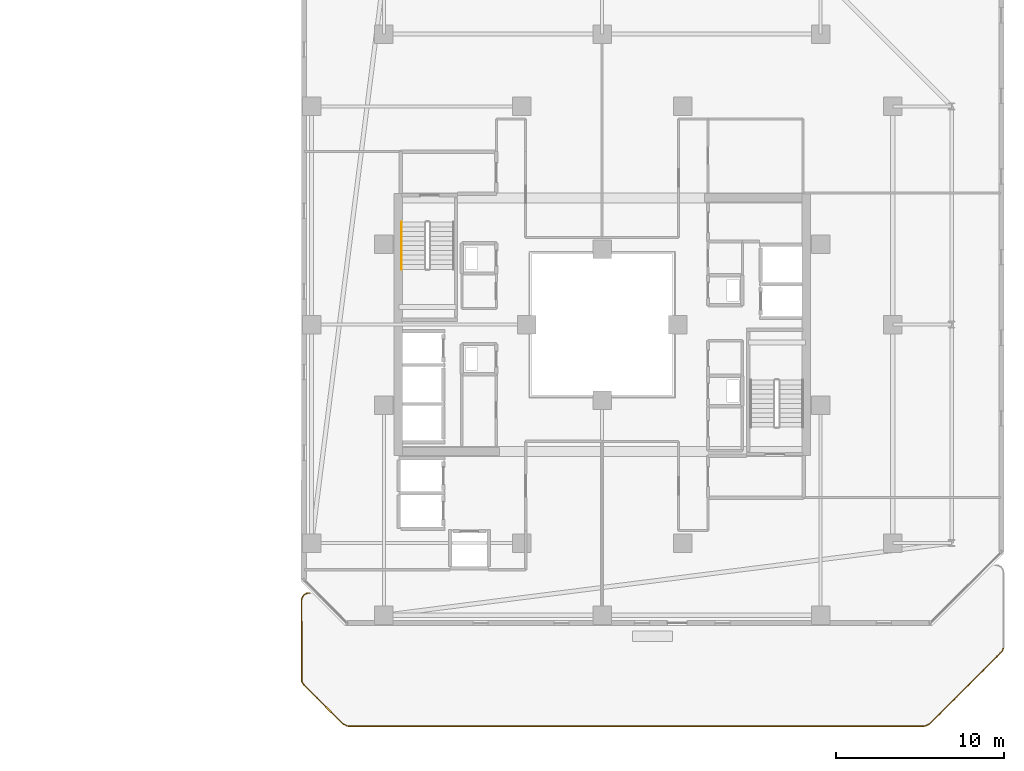
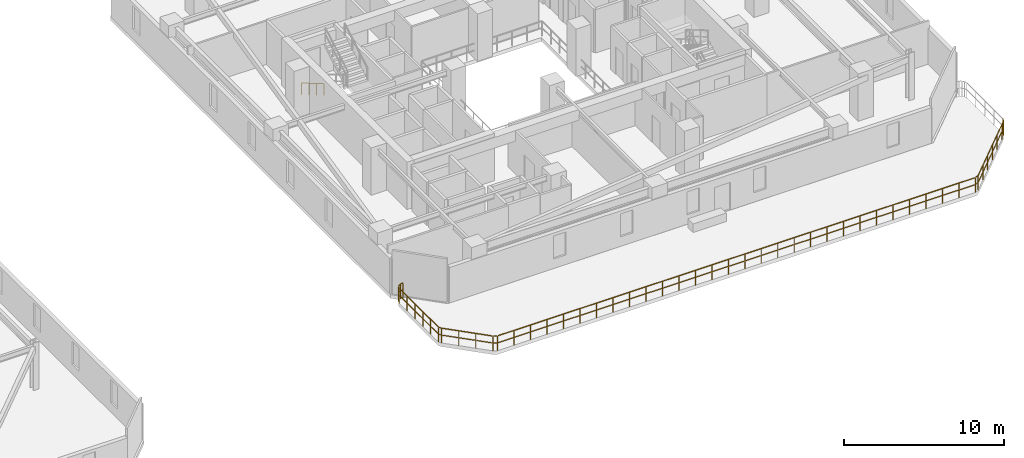
# One storey, part 29 of 30: 2 railings.
"""IFC4 building model written with IfcOpenShell, lengths in metres."""

from ifc_helpers import new_model, si_unit, direction, frame, origin, origin_2d, place, context, subcontext, project, spatial, rectangle, extrude, material, type_object, element, save


model = new_model("IFC4")

# Units and contexts
model_context = context("Model", 3, precision=1e-05, world=origin(), true_north=direction((0.0, 1.0)))
body_context = subcontext(model_context, "Body", "Model", "MODEL_VIEW")
ifc_project = project(units=[si_unit("LENGTHUNIT", "METRE"), si_unit("AREAUNIT", "SQUARE_METRE"), si_unit("VOLUMEUNIT", "CUBIC_METRE"), si_unit("PLANEANGLEUNIT", "RADIAN"), si_unit("MASSUNIT", "GRAM", prefix="KILO")], contexts=[model_context])

# Site, building, storey
site_placement = place(None, origin())
site = spatial("IfcSite", under=ifc_project, at=site_placement, CompositionType="ELEMENT")
building_placement = place(site_placement, origin())
building = spatial("IfcBuilding", under=site, at=building_placement, Name="Thornwick Lancets Civic Towers", CompositionType="ELEMENT")
storey_placement = place(building_placement, frame((0.0, 0.0, 149.10009765625)))
storey = spatial("IfcBuildingStorey", under=building, at=storey_placement, Name="L39", CompositionType="ELEMENT", Elevation=149.10009765625)

# Railings
ifc_material_1 = material(Name="Brushed stainless steel S355", Category="steel")
railing_type_1 = type_object("IfcRailingType", Name="RAIL_HANDRAIL", PredefinedType="HANDRAIL", material=ifc_material_1)
railing_1_placement = place(storey_placement, frame((76.550048828125, 33.10009765625, 0.16357421875)))
element("IfcRailing", 1, at=railing_1_placement, inside=storey, type_object=railing_type_1, Name="L39 ST-B2 stair handrail 1", PredefinedType="HANDRAIL", context=body_context, shape_type="SweptSolid", body=[
    extrude(rectangle(XDim=0.048095703125, YDim=0.048095703125, at=origin_2d()), frame((0.0, 0.0, 0.8857421875), z_axis=(0.0, -0.863393664356, 0.504530851732), x_axis=(1.0, 0.0, 0.0)), (0.0, 0.0, 1.0), 3.2431640625),
    extrude(rectangle(XDim=0.0419921875, YDim=0.0419921875, at=origin_2d()), origin(), (0.0, 0.0, 1.0), 0.855712890625),
    extrude(rectangle(XDim=0.0419921875, YDim=0.0419921875, at=origin_2d()), frame((0.0, -0.933349609375, 0.54541015625)), (0.0, 0.0, 1.0), 0.855712890625),
    extrude(rectangle(XDim=0.0419921875, YDim=0.0419921875, at=origin_2d()), frame((0.0, -1.86669921875, 1.0908203125)), (0.0, 0.0, 1.0), 0.855712890625),
    extrude(rectangle(XDim=0.0419921875, YDim=0.0419921875, at=origin_2d()), frame((0.0, -2.800048828125, 1.63623046875)), (0.0, 0.0, 1.0), 0.855712890625),
])
ifc_material_2 = material(Name="Terracotta-capped laminated glass balustrade S355", Category="masonry")
railing_type_2 = type_object("IfcRailingType", Name="RAIL_TERR_GUARD", PredefinedType="GUARDRAIL", material=ifc_material_2)
railing_2_placement = place(storey_placement, frame((112.397705078125, 7.7802734375, 0.0)))
element("IfcRailing", 2, at=railing_2_placement, inside=storey, type_object=railing_type_2, Name="L39 Tower B Sky-Garden Guard 1 Part 1", PredefinedType="GUARDRAIL", context=body_context, shape_type="SweptSolid", body=[
    extrude(rectangle(XDim=0.048095703125, YDim=0.048095703125, at=origin_2d()), frame((0.0, 0.0, 1.1259765625), z_axis=(-0.336265625634, -0.941767184084, 0.0), x_axis=(0.941767184084, -0.336265625634, 0.0)), (0.0, 0.0, 1.0), 0.187255859375),
    extrude(rectangle(XDim=0.0419921875, YDim=0.0419921875, at=origin_2d()), frame((-0.0126953125, -0.035400390625, 0.597900390625), z_axis=(-0.336265625634, -0.941767184084, 0.0), x_axis=(0.941767184084, -0.336265625634, 0.0)), (0.0, 0.0, 1.0), 0.1435546875),
    extrude(rectangle(XDim=0.048095703125, YDim=0.048095703125, at=origin_2d()), frame((-0.09521484375, -0.228271484375, 1.1259765625), z_axis=(-0.693108716252, -0.720833064902, 0.0), x_axis=(0.720833064902, -0.693108716252, 0.0)), (0.0, 0.0, 1.0), 0.377685546875),
    extrude(rectangle(XDim=0.0419921875, YDim=0.0419921875, at=origin_2d()), frame((-0.099365234375, -0.23291015625, 0.597900390625), z_axis=(-0.693108716252, -0.720833064902, 0.0), x_axis=(0.720833064902, -0.693108716252, 0.0)), (0.0, 0.0, 1.0), 0.365234375),
    extrude(rectangle(XDim=0.048095703125, YDim=0.048095703125, at=origin_2d()), frame((-0.40087890625, -0.54541015625, 1.1259765625), z_axis=(-0.707085337138, -0.707128224585, 0.0), x_axis=(0.707128224585, -0.707085337138, 0.0)), (0.0, 0.0, 1.0), 5.630126953125),
    extrude(rectangle(XDim=0.0419921875, YDim=0.0419921875, at=origin_2d()), frame((-0.4052734375, -0.5498046875, 0.597900390625), z_axis=(-0.707085337138, -0.707128224585, 0.0), x_axis=(0.707128224585, -0.707085337138, 0.0)), (0.0, 0.0, 1.0), 1.0634765625),
    extrude(rectangle(XDim=0.0419921875, YDim=0.0419921875, at=origin_2d()), frame((-1.210205078125, -1.354736328125, 0.597900390625), z_axis=(-0.707085337138, -0.707128224585, 0.0), x_axis=(0.707128224585, -0.707085337138, 0.0)), (0.0, 0.0, 1.0), 1.0634765625),
    extrude(rectangle(XDim=0.0419921875, YDim=0.0419921875, at=origin_2d()), frame((-2.01513671875, -2.159912109375, 0.597900390625), z_axis=(-0.707085337138, -0.707128224585, 0.0), x_axis=(0.707128224585, -0.707085337138, 0.0)), (0.0, 0.0, 1.0), 1.0634765625),
    extrude(rectangle(XDim=0.0419921875, YDim=0.0419921875, at=origin_2d()), frame((-2.8203125, -2.96484375, 0.597900390625), z_axis=(-0.707085337138, -0.707128224585, 0.0), x_axis=(0.707128224585, -0.707085337138, 0.0)), (0.0, 0.0, 1.0), 1.0634765625),
    extrude(rectangle(XDim=0.0419921875, YDim=0.0419921875, at=origin_2d()), frame((-3.625244140625, -3.77001953125, 0.597900390625), z_axis=(-0.707085337138, -0.707128224585, 0.0), x_axis=(0.707128224585, -0.707085337138, 0.0)), (0.0, 0.0, 1.0), 1.0634765625),
    extrude(rectangle(XDim=0.048095703125, YDim=0.048095703125, at=origin_2d()), frame((-4.43212890625, -4.56201171875, 1.1259765625), z_axis=(-0.904343633652, -0.426805098696, 0.0), x_axis=(0.426805098696, -0.904343633652, 0.0)), (0.0, 0.0, 1.0), 0.24072265625),
    extrude(rectangle(XDim=0.0419921875, YDim=0.0419921875, at=origin_2d()), frame((-4.437744140625, -4.564697265625, 0.597900390625), z_axis=(-0.904343633652, -0.426805098696, 0.0), x_axis=(0.426805098696, -0.904343633652, 0.0)), (0.0, 0.0, 1.0), 0.228271484375),
    extrude(rectangle(XDim=0.048095703125, YDim=0.048095703125, at=origin_2d()), frame((-4.709228515625, -4.677978515625, 1.1259765625), z_axis=(-1.0, 0.0, 0.0), x_axis=(0.0, -1.0, 0.0)), (0.0, 0.0, 1.0), 34.31494140625),
    extrude(rectangle(XDim=0.0419921875, YDim=0.0419921875, at=origin_2d()), frame((-4.715576171875, -4.677978515625, 0.597900390625), z_axis=(-1.0, 0.0, 0.0), x_axis=(0.0, -1.0, 0.0)), (0.0, 0.0, 1.0), 1.1103515625),
    extrude(rectangle(XDim=0.0419921875, YDim=0.0419921875, at=origin_2d()), frame((-5.90087890625, -4.677978515625, 0.597900390625), z_axis=(-1.0, 0.0, 0.0), x_axis=(0.0, -1.0, 0.0)), (0.0, 0.0, 1.0), 1.1103515625),
    extrude(rectangle(XDim=0.0419921875, YDim=0.0419921875, at=origin_2d()), frame((-7.08642578125, -4.677978515625, 0.597900390625), z_axis=(-1.0, 0.0, 0.0), x_axis=(0.0, -1.0, 0.0)), (0.0, 0.0, 1.0), 1.1103515625),
    extrude(rectangle(XDim=0.0419921875, YDim=0.0419921875, at=origin_2d()), frame((-8.271728515625, -4.677978515625, 0.597900390625), z_axis=(-1.0, 0.0, 0.0), x_axis=(0.0, -1.0, 0.0)), (0.0, 0.0, 1.0), 1.1103515625),
    extrude(rectangle(XDim=0.0419921875, YDim=0.0419921875, at=origin_2d()), frame((-9.457275390625, -4.677978515625, 0.597900390625), z_axis=(-1.0, 0.0, 0.0), x_axis=(0.0, -1.0, 0.0)), (0.0, 0.0, 1.0), 1.1103515625),
    extrude(rectangle(XDim=0.0419921875, YDim=0.0419921875, at=origin_2d()), frame((-10.642578125, -4.677978515625, 0.597900390625), z_axis=(-1.0, 0.0, 0.0), x_axis=(0.0, -1.0, 0.0)), (0.0, 0.0, 1.0), 1.1103515625),
    extrude(rectangle(XDim=0.0419921875, YDim=0.0419921875, at=origin_2d()), frame((-11.828125, -4.677978515625, 0.597900390625), z_axis=(-1.0, 0.0, 0.0), x_axis=(0.0, -1.0, 0.0)), (0.0, 0.0, 1.0), 1.1103515625),
    extrude(rectangle(XDim=0.0419921875, YDim=0.0419921875, at=origin_2d()), frame((-13.013427734375, -4.677978515625, 0.597900390625), z_axis=(-1.0, 0.0, 0.0), x_axis=(0.0, -1.0, 0.0)), (0.0, 0.0, 1.0), 1.1103515625),
    extrude(rectangle(XDim=0.0419921875, YDim=0.0419921875, at=origin_2d()), frame((-14.198974609375, -4.677978515625, 0.597900390625), z_axis=(-1.0, 0.0, 0.0), x_axis=(0.0, -1.0, 0.0)), (0.0, 0.0, 1.0), 1.1103515625),
    extrude(rectangle(XDim=0.0419921875, YDim=0.0419921875, at=origin_2d()), frame((-15.38427734375, -4.677978515625, 0.597900390625), z_axis=(-1.0, 0.0, 0.0), x_axis=(0.0, -1.0, 0.0)), (0.0, 0.0, 1.0), 1.1103515625),
    extrude(rectangle(XDim=0.0419921875, YDim=0.0419921875, at=origin_2d()), frame((-16.56982421875, -4.677978515625, 0.597900390625), z_axis=(-1.0, 0.0, 0.0), x_axis=(0.0, -1.0, 0.0)), (0.0, 0.0, 1.0), 1.1103515625),
    extrude(rectangle(XDim=0.0419921875, YDim=0.0419921875, at=origin_2d()), frame((-17.755126953125, -4.677978515625, 0.597900390625), z_axis=(-1.0, 0.0, 0.0), x_axis=(0.0, -1.0, 0.0)), (0.0, 0.0, 1.0), 1.1103515625),
    extrude(rectangle(XDim=0.0419921875, YDim=0.0419921875, at=origin_2d()), frame((-18.940673828125, -4.677978515625, 0.597900390625), z_axis=(-1.0, 0.0, 0.0), x_axis=(0.0, -1.0, 0.0)), (0.0, 0.0, 1.0), 1.1103515625),
    extrude(rectangle(XDim=0.0419921875, YDim=0.0419921875, at=origin_2d()), frame((-20.1259765625, -4.677978515625, 0.597900390625), z_axis=(-1.0, 0.0, 0.0), x_axis=(0.0, -1.0, 0.0)), (0.0, 0.0, 1.0), 1.1103515625),
    extrude(rectangle(XDim=0.0419921875, YDim=0.0419921875, at=origin_2d()), frame((-21.3115234375, -4.677978515625, 0.597900390625), z_axis=(-1.0, 0.0, 0.0), x_axis=(0.0, -1.0, 0.0)), (0.0, 0.0, 1.0), 1.1103515625),
    extrude(rectangle(XDim=0.0419921875, YDim=0.0419921875, at=origin_2d()), frame((-22.496826171875, -4.677978515625, 0.597900390625), z_axis=(-1.0, 0.0, 0.0), x_axis=(0.0, -1.0, 0.0)), (0.0, 0.0, 1.0), 1.1103515625),
    extrude(rectangle(XDim=0.0419921875, YDim=0.0419921875, at=origin_2d()), frame((-23.682373046875, -4.677978515625, 0.597900390625), z_axis=(-1.0, 0.0, 0.0), x_axis=(0.0, -1.0, 0.0)), (0.0, 0.0, 1.0), 1.1103515625),
    extrude(rectangle(XDim=0.0419921875, YDim=0.0419921875, at=origin_2d()), frame((-24.86767578125, -4.677978515625, 0.597900390625), z_axis=(-1.0, 0.0, 0.0), x_axis=(0.0, -1.0, 0.0)), (0.0, 0.0, 1.0), 1.1103515625),
    extrude(rectangle(XDim=0.0419921875, YDim=0.0419921875, at=origin_2d()), frame((-26.05322265625, -4.677978515625, 0.597900390625), z_axis=(-1.0, 0.0, 0.0), x_axis=(0.0, -1.0, 0.0)), (0.0, 0.0, 1.0), 1.1103515625),
    extrude(rectangle(XDim=0.0419921875, YDim=0.0419921875, at=origin_2d()), frame((-27.238525390625, -4.677978515625, 0.597900390625), z_axis=(-1.0, 0.0, 0.0), x_axis=(0.0, -1.0, 0.0)), (0.0, 0.0, 1.0), 1.1103515625),
    extrude(rectangle(XDim=0.0419921875, YDim=0.0419921875, at=origin_2d()), frame((-28.424072265625, -4.677978515625, 0.597900390625), z_axis=(-1.0, 0.0, 0.0), x_axis=(0.0, -1.0, 0.0)), (0.0, 0.0, 1.0), 1.1103515625),
    extrude(rectangle(XDim=0.0419921875, YDim=0.0419921875, at=origin_2d()), frame((-29.609375, -4.677978515625, 0.597900390625), z_axis=(-1.0, 0.0, 0.0), x_axis=(0.0, -1.0, 0.0)), (0.0, 0.0, 1.0), 1.1103515625),
    extrude(rectangle(XDim=0.0419921875, YDim=0.0419921875, at=origin_2d()), frame((-30.794921875, -4.677978515625, 0.597900390625), z_axis=(-1.0, 0.0, 0.0), x_axis=(0.0, -1.0, 0.0)), (0.0, 0.0, 1.0), 1.1103515625),
    extrude(rectangle(XDim=0.0419921875, YDim=0.0419921875, at=origin_2d()), frame((-31.980224609375, -4.677978515625, 0.597900390625), z_axis=(-1.0, 0.0, 0.0), x_axis=(0.0, -1.0, 0.0)), (0.0, 0.0, 1.0), 1.1103515625),
    extrude(rectangle(XDim=0.0419921875, YDim=0.0419921875, at=origin_2d()), frame((-33.165771484375, -4.677978515625, 0.597900390625), z_axis=(-1.0, 0.0, 0.0), x_axis=(0.0, -1.0, 0.0)), (0.0, 0.0, 1.0), 1.1103515625),
    extrude(rectangle(XDim=0.0419921875, YDim=0.0419921875, at=origin_2d()), frame((-34.351318359375, -4.677978515625, 0.597900390625), z_axis=(-1.0, 0.0, 0.0), x_axis=(0.0, -1.0, 0.0)), (0.0, 0.0, 1.0), 1.1103515625),
    extrude(rectangle(XDim=0.0419921875, YDim=0.0419921875, at=origin_2d()), frame((-35.53662109375, -4.677978515625, 0.597900390625), z_axis=(-1.0, 0.0, 0.0), x_axis=(0.0, -1.0, 0.0)), (0.0, 0.0, 1.0), 1.1103515625),
    extrude(rectangle(XDim=0.0419921875, YDim=0.0419921875, at=origin_2d()), frame((-36.72216796875, -4.677978515625, 0.597900390625), z_axis=(-1.0, 0.0, 0.0), x_axis=(0.0, -1.0, 0.0)), (0.0, 0.0, 1.0), 1.1103515625),
    extrude(rectangle(XDim=0.0419921875, YDim=0.0419921875, at=origin_2d()), frame((-37.907470703125, -4.677978515625, 0.597900390625), z_axis=(-1.0, 0.0, 0.0), x_axis=(0.0, -1.0, 0.0)), (0.0, 0.0, 1.0), 1.1103515625),
    extrude(rectangle(XDim=0.048095703125, YDim=0.048095703125, at=origin_2d()), frame((-39.083740234375, -4.66455078125, 1.1259765625), z_axis=(-0.904343633652, 0.426805098696, 0.0), x_axis=(-0.426805098696, -0.904343633652, 0.0)), (0.0, 0.0, 1.0), 0.24072265625),
    extrude(rectangle(XDim=0.0419921875, YDim=0.0419921875, at=origin_2d()), frame((-39.08935546875, -4.661865234375, 0.597900390625), z_axis=(-0.904343633652, 0.426805098696, 0.0), x_axis=(-0.426805098696, -0.904343633652, 0.0)), (0.0, 0.0, 1.0), 0.228271484375),
    extrude(rectangle(XDim=0.048095703125, YDim=0.048095703125, at=origin_2d()), frame((-39.351806640625, -4.5263671875, 1.1259765625), z_axis=(-0.707106781187, 0.707106781187, 0.0), x_axis=(-0.707106781187, -0.707106781187, 0.0)), (0.0, 0.0, 1.0), 3.24169921875),
    extrude(rectangle(XDim=0.0419921875, YDim=0.0419921875, at=origin_2d()), frame((-39.356201171875, -4.52197265625, 0.597900390625), z_axis=(-0.707106781187, 0.707106781187, 0.0), x_axis=(-0.707106781187, -0.707106781187, 0.0)), (0.0, 0.0, 1.0), 1.0263671875),
    extrude(rectangle(XDim=0.0419921875, YDim=0.0419921875, at=origin_2d()), frame((-40.135009765625, -3.7431640625, 0.597900390625), z_axis=(-0.707106781187, 0.707106781187, 0.0), x_axis=(-0.707106781187, -0.707106781187, 0.0)), (0.0, 0.0, 1.0), 1.0263671875),
    extrude(rectangle(XDim=0.0419921875, YDim=0.0419921875, at=origin_2d()), frame((-40.913818359375, -2.96435546875, 0.597900390625), z_axis=(-0.707106781187, 0.707106781187, 0.0), x_axis=(-0.707106781187, -0.707106781187, 0.0)), (0.0, 0.0, 1.0), 1.0263671875),
    extrude(rectangle(XDim=0.048095703125, YDim=0.048095703125, at=origin_2d()), frame((-41.68212890625, -2.185302734375, 1.1259765625), z_axis=(-0.513346500392, 0.858181432178, 0.0), x_axis=(-0.858181432178, -0.513346500392, 0.0)), (0.0, 0.0, 1.0), 0.15625),
    extrude(rectangle(XDim=0.0419921875, YDim=0.0419921875, at=origin_2d()), frame((-41.685302734375, -2.179931640625, 0.597900390625), z_axis=(-0.513346500392, 0.858181432178, 0.0), x_axis=(-0.858181432178, -0.513346500392, 0.0)), (0.0, 0.0, 1.0), 0.143798828125),
    extrude(rectangle(XDim=0.048095703125, YDim=0.048095703125, at=origin_2d()), frame((-41.7783203125, -1.9931640625, 1.1259765625), z_axis=(-0.003506641099, 0.999993851715, 0.0), x_axis=(-0.999993851715, -0.003506641099, 0.0)), (0.0, 0.0, 1.0), 4.81103515625),
    extrude(rectangle(XDim=0.0419921875, YDim=0.0419921875, at=origin_2d()), frame((-41.778564453125, -1.98681640625, 0.597900390625), z_axis=(-0.003506641099, 0.999993851715, 0.0), x_axis=(-0.999993851715, -0.003506641099, 0.0)), (0.0, 0.0, 1.0), 0.899658203125),
    extrude(rectangle(XDim=0.0419921875, YDim=0.0419921875, at=origin_2d()), frame((-41.781982421875, -1.01220703125, 0.597900390625), z_axis=(-0.003506641099, 0.999993851715, 0.0), x_axis=(-0.999993851715, -0.003506641099, 0.0)), (0.0, 0.0, 1.0), 0.899658203125),
    extrude(rectangle(XDim=0.0419921875, YDim=0.0419921875, at=origin_2d()), frame((-41.785400390625, -0.03759765625, 0.597900390625), z_axis=(-0.003506641099, 0.999993851715, 0.0), x_axis=(-0.999993851715, -0.003506641099, 0.0)), (0.0, 0.0, 1.0), 0.899658203125),
    extrude(rectangle(XDim=0.0419921875, YDim=0.0419921875, at=origin_2d()), frame((-41.788818359375, 0.937255859375, 0.597900390625), z_axis=(-0.003506641099, 0.999993851715, 0.0), x_axis=(-0.999993851715, -0.003506641099, 0.0)), (0.0, 0.0, 1.0), 0.899658203125),
    extrude(rectangle(XDim=0.0419921875, YDim=0.0419921875, at=origin_2d()), frame((-41.792236328125, 1.911865234375, 0.597900390625), z_axis=(-0.003506641099, 0.999993851715, 0.0), x_axis=(-0.999993851715, -0.003506641099, 0.0)), (0.0, 0.0, 1.0), 0.899658203125),
    extrude(rectangle(XDim=0.048095703125, YDim=0.048095703125, at=origin_2d()), frame((-41.786376953125, 2.879150390625, 1.1259765625), z_axis=(0.289389501276, 0.957211427299, 0.0), x_axis=(-0.957211427299, 0.289389501276, 0.0)), (0.0, 0.0, 1.0), 0.113037109375),
    extrude(rectangle(XDim=0.0419921875, YDim=0.0419921875, at=origin_2d()), frame((-41.78466796875, 2.885009765625, 0.597900390625), z_axis=(0.289389501276, 0.957211427299, 0.0), x_axis=(-0.957211427299, 0.289389501276, 0.0)), (0.0, 0.0, 1.0), 0.1005859375),
    extrude(rectangle(XDim=0.048095703125, YDim=0.048095703125, at=origin_2d()), frame((-41.724853515625, 3.041259765625, 1.1259765625), z_axis=(0.634146109242, 0.773213238462, 0.0), x_axis=(-0.773213238462, 0.634146109242, 0.0)), (0.0, 0.0, 1.0), 0.113037109375),
    extrude(rectangle(XDim=0.0419921875, YDim=0.0419921875, at=origin_2d()), frame((-41.720947265625, 3.046142578125, 0.597900390625), z_axis=(0.634146109242, 0.773213238462, 0.0), x_axis=(-0.773213238462, 0.634146109242, 0.0)), (0.0, 0.0, 1.0), 0.1005859375),
    extrude(rectangle(XDim=0.048095703125, YDim=0.048095703125, at=origin_2d()), frame((-41.605712890625, 3.16748046875, 1.1259765625), z_axis=(0.882160586654, 0.470948722639, 0.0), x_axis=(-0.470948722639, 0.882160586654, 0.0)), (0.0, 0.0, 1.0), 0.11328125),
    extrude(rectangle(XDim=0.0419921875, YDim=0.0419921875, at=origin_2d()), frame((-41.600341796875, 3.17041015625, 0.597900390625), z_axis=(0.882160586654, 0.470948722639, 0.0), x_axis=(-0.470948722639, 0.882160586654, 0.0)), (0.0, 0.0, 1.0), 0.100830078125),
    extrude(rectangle(XDim=0.048095703125, YDim=0.048095703125, at=origin_2d()), frame((-41.447265625, 3.238525390625, 1.1259765625), z_axis=(0.99556264392, 0.094101126617, 0.0), x_axis=(-0.094101126617, 0.99556264392, 0.0)), (0.0, 0.0, 1.0), 0.147705078125),
    extrude(rectangle(XDim=0.0419921875, YDim=0.0419921875, at=origin_2d()), frame((-41.44091796875, 3.239013671875, 0.597900390625), z_axis=(0.99556264392, 0.094101126617, 0.0), x_axis=(-0.094101126617, 0.99556264392, 0.0)), (0.0, 0.0, 1.0), 0.10400390625),
    extrude(rectangle(XDim=0.0419921875, YDim=0.0419921875, at=origin_2d()), origin(), (0.0, 0.0, 1.0), 1.095703125),
    extrude(rectangle(XDim=0.0419921875, YDim=0.0419921875, at=origin_2d()), frame((-0.073486328125, -0.205810546875, 0.0)), (0.0, 0.0, 1.0), 1.095703125),
    extrude(rectangle(XDim=0.0419921875, YDim=0.0419921875, at=origin_2d()), frame((-0.378662109375, -0.523193359375, 0.0)), (0.0, 0.0, 1.0), 1.095703125),
    extrude(rectangle(XDim=0.0419921875, YDim=0.0419921875, at=origin_2d()), frame((-1.18359375, -1.328369140625, 0.0)), (0.0, 0.0, 1.0), 1.095703125),
    extrude(rectangle(XDim=0.0419921875, YDim=0.0419921875, at=origin_2d()), frame((-1.98876953125, -2.13330078125, 0.0)), (0.0, 0.0, 1.0), 1.095703125),
    extrude(rectangle(XDim=0.0419921875, YDim=0.0419921875, at=origin_2d()), frame((-2.793701171875, -2.9384765625, 0.0)), (0.0, 0.0, 1.0), 1.095703125),
    extrude(rectangle(XDim=0.0419921875, YDim=0.0419921875, at=origin_2d()), frame((-3.598876953125, -3.743408203125, 0.0)), (0.0, 0.0, 1.0), 1.095703125),
    extrude(rectangle(XDim=0.0419921875, YDim=0.0419921875, at=origin_2d()), frame((-4.40380859375, -4.548583984375, 0.0)), (0.0, 0.0, 1.0), 1.095703125),
    extrude(rectangle(XDim=0.0419921875, YDim=0.0419921875, at=origin_2d()), frame((-4.677978515625, -4.677978515625, 0.0)), (0.0, 0.0, 1.0), 1.095703125),
    extrude(rectangle(XDim=0.0419921875, YDim=0.0419921875, at=origin_2d()), frame((-5.863525390625, -4.677978515625, 0.0)), (0.0, 0.0, 1.0), 1.095703125),
    extrude(rectangle(XDim=0.0419921875, YDim=0.0419921875, at=origin_2d()), frame((-7.048828125, -4.677978515625, 0.0)), (0.0, 0.0, 1.0), 1.095703125),
    extrude(rectangle(XDim=0.0419921875, YDim=0.0419921875, at=origin_2d()), frame((-8.234375, -4.677978515625, 0.0)), (0.0, 0.0, 1.0), 1.095703125),
    extrude(rectangle(XDim=0.0419921875, YDim=0.0419921875, at=origin_2d()), frame((-9.419677734375, -4.677978515625, 0.0)), (0.0, 0.0, 1.0), 1.095703125),
    extrude(rectangle(XDim=0.0419921875, YDim=0.0419921875, at=origin_2d()), frame((-10.605224609375, -4.677978515625, 0.0)), (0.0, 0.0, 1.0), 1.095703125),
    extrude(rectangle(XDim=0.0419921875, YDim=0.0419921875, at=origin_2d()), frame((-11.79052734375, -4.677978515625, 0.0)), (0.0, 0.0, 1.0), 1.095703125),
    extrude(rectangle(XDim=0.0419921875, YDim=0.0419921875, at=origin_2d()), frame((-12.97607421875, -4.677978515625, 0.0)), (0.0, 0.0, 1.0), 1.095703125),
    extrude(rectangle(XDim=0.0419921875, YDim=0.0419921875, at=origin_2d()), frame((-14.161376953125, -4.677978515625, 0.0)), (0.0, 0.0, 1.0), 1.095703125),
    extrude(rectangle(XDim=0.0419921875, YDim=0.0419921875, at=origin_2d()), frame((-15.346923828125, -4.677978515625, 0.0)), (0.0, 0.0, 1.0), 1.095703125),
    extrude(rectangle(XDim=0.0419921875, YDim=0.0419921875, at=origin_2d()), frame((-16.5322265625, -4.677978515625, 0.0)), (0.0, 0.0, 1.0), 1.095703125),
    extrude(rectangle(XDim=0.0419921875, YDim=0.0419921875, at=origin_2d()), frame((-17.7177734375, -4.677978515625, 0.0)), (0.0, 0.0, 1.0), 1.095703125),
    extrude(rectangle(XDim=0.0419921875, YDim=0.0419921875, at=origin_2d()), frame((-18.903076171875, -4.677978515625, 0.0)), (0.0, 0.0, 1.0), 1.095703125),
    extrude(rectangle(XDim=0.0419921875, YDim=0.0419921875, at=origin_2d()), frame((-20.088623046875, -4.677978515625, 0.0)), (0.0, 0.0, 1.0), 1.095703125),
    extrude(rectangle(XDim=0.0419921875, YDim=0.0419921875, at=origin_2d()), frame((-21.27392578125, -4.677978515625, 0.0)), (0.0, 0.0, 1.0), 1.095703125),
    extrude(rectangle(XDim=0.0419921875, YDim=0.0419921875, at=origin_2d()), frame((-22.45947265625, -4.677978515625, 0.0)), (0.0, 0.0, 1.0), 1.095703125),
    extrude(rectangle(XDim=0.0419921875, YDim=0.0419921875, at=origin_2d()), frame((-23.644775390625, -4.677978515625, 0.0)), (0.0, 0.0, 1.0), 1.095703125),
    extrude(rectangle(XDim=0.0419921875, YDim=0.0419921875, at=origin_2d()), frame((-24.830322265625, -4.677978515625, 0.0)), (0.0, 0.0, 1.0), 1.095703125),
    extrude(rectangle(XDim=0.0419921875, YDim=0.0419921875, at=origin_2d()), frame((-26.015625, -4.677978515625, 0.0)), (0.0, 0.0, 1.0), 1.095703125),
    extrude(rectangle(XDim=0.0419921875, YDim=0.0419921875, at=origin_2d()), frame((-27.201171875, -4.677978515625, 0.0)), (0.0, 0.0, 1.0), 1.095703125),
    extrude(rectangle(XDim=0.0419921875, YDim=0.0419921875, at=origin_2d()), frame((-28.386474609375, -4.677978515625, 0.0)), (0.0, 0.0, 1.0), 1.095703125),
    extrude(rectangle(XDim=0.0419921875, YDim=0.0419921875, at=origin_2d()), frame((-29.572021484375, -4.677978515625, 0.0)), (0.0, 0.0, 1.0), 1.095703125),
    extrude(rectangle(XDim=0.0419921875, YDim=0.0419921875, at=origin_2d()), frame((-30.75732421875, -4.677978515625, 0.0)), (0.0, 0.0, 1.0), 1.095703125),
    extrude(rectangle(XDim=0.0419921875, YDim=0.0419921875, at=origin_2d()), frame((-31.94287109375, -4.677978515625, 0.0)), (0.0, 0.0, 1.0), 1.095703125),
    extrude(rectangle(XDim=0.0419921875, YDim=0.0419921875, at=origin_2d()), frame((-33.128173828125, -4.677978515625, 0.0)), (0.0, 0.0, 1.0), 1.095703125),
    extrude(rectangle(XDim=0.0419921875, YDim=0.0419921875, at=origin_2d()), frame((-34.313720703125, -4.677978515625, 0.0)), (0.0, 0.0, 1.0), 1.095703125),
    extrude(rectangle(XDim=0.0419921875, YDim=0.0419921875, at=origin_2d()), frame((-35.4990234375, -4.677978515625, 0.0)), (0.0, 0.0, 1.0), 1.095703125),
    extrude(rectangle(XDim=0.0419921875, YDim=0.0419921875, at=origin_2d()), frame((-36.6845703125, -4.677978515625, 0.0)), (0.0, 0.0, 1.0), 1.095703125),
    extrude(rectangle(XDim=0.0419921875, YDim=0.0419921875, at=origin_2d()), frame((-37.869873046875, -4.677978515625, 0.0)), (0.0, 0.0, 1.0), 1.095703125),
    extrude(rectangle(XDim=0.0419921875, YDim=0.0419921875, at=origin_2d()), frame((-39.055419921875, -4.677978515625, 0.0)), (0.0, 0.0, 1.0), 1.095703125),
    extrude(rectangle(XDim=0.0419921875, YDim=0.0419921875, at=origin_2d()), frame((-39.32958984375, -4.548583984375, 0.0)), (0.0, 0.0, 1.0), 1.095703125),
    extrude(rectangle(XDim=0.0419921875, YDim=0.0419921875, at=origin_2d()), frame((-40.1083984375, -3.769775390625, 0.0)), (0.0, 0.0, 1.0), 1.095703125),
    extrude(rectangle(XDim=0.0419921875, YDim=0.0419921875, at=origin_2d()), frame((-40.88720703125, -2.990966796875, 0.0)), (0.0, 0.0, 1.0), 1.095703125),
    extrude(rectangle(XDim=0.0419921875, YDim=0.0419921875, at=origin_2d()), frame((-41.666015625, -2.212158203125, 0.0)), (0.0, 0.0, 1.0), 1.095703125),
    extrude(rectangle(XDim=0.0419921875, YDim=0.0419921875, at=origin_2d()), frame((-41.7783203125, -2.0244140625, 0.0)), (0.0, 0.0, 1.0), 1.095703125),
    extrude(rectangle(XDim=0.0419921875, YDim=0.0419921875, at=origin_2d()), frame((-41.78173828125, -1.0498046875, 0.0)), (0.0, 0.0, 1.0), 1.095703125),
    extrude(rectangle(XDim=0.0419921875, YDim=0.0419921875, at=origin_2d()), frame((-41.78515625, -0.074951171875, 0.0)), (0.0, 0.0, 1.0), 1.095703125),
    extrude(rectangle(XDim=0.0419921875, YDim=0.0419921875, at=origin_2d()), frame((-41.78857421875, 0.899658203125, 0.0)), (0.0, 0.0, 1.0), 1.095703125),
    extrude(rectangle(XDim=0.0419921875, YDim=0.0419921875, at=origin_2d()), frame((-41.7919921875, 1.87451171875, 0.0)), (0.0, 0.0, 1.0), 1.095703125),
    extrude(rectangle(XDim=0.0419921875, YDim=0.0419921875, at=origin_2d()), frame((-41.79541015625, 2.84912109375, 0.0)), (0.0, 0.0, 1.0), 1.095703125),
    extrude(rectangle(XDim=0.0419921875, YDim=0.0419921875, at=origin_2d()), frame((-41.74462890625, 3.01708984375, 0.0)), (0.0, 0.0, 1.0), 1.095703125),
    extrude(rectangle(XDim=0.0419921875, YDim=0.0419921875, at=origin_2d()), frame((-41.63330078125, 3.15283203125, 0.0)), (0.0, 0.0, 1.0), 1.095703125),
    extrude(rectangle(XDim=0.0419921875, YDim=0.0419921875, at=origin_2d()), frame((-41.478271484375, 3.235595703125, 0.0)), (0.0, 0.0, 1.0), 1.095703125),
    extrude(rectangle(XDim=0.0419921875, YDim=0.0419921875, at=origin_2d()), frame((-41.300048828125, 3.25244140625, 0.0)), (0.0, 0.0, 1.0), 1.095703125),
])

save(model, "model.ifc")
